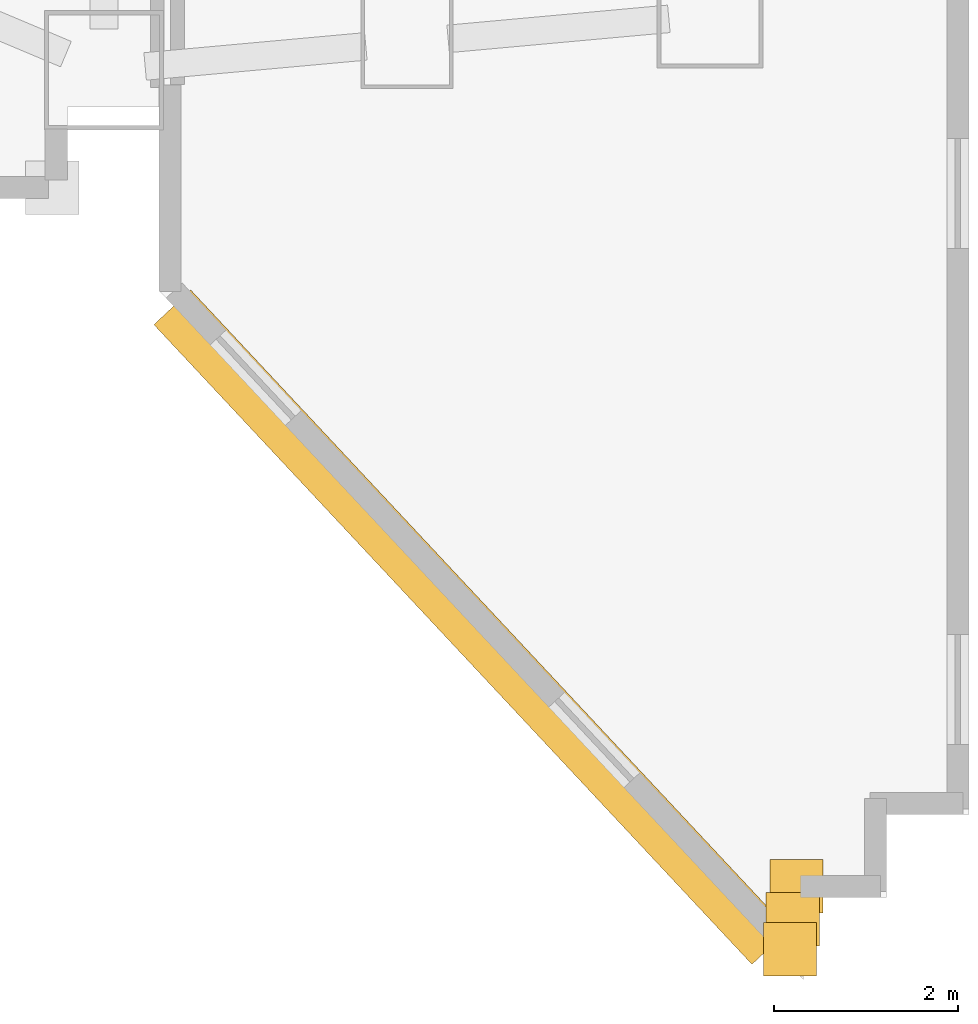
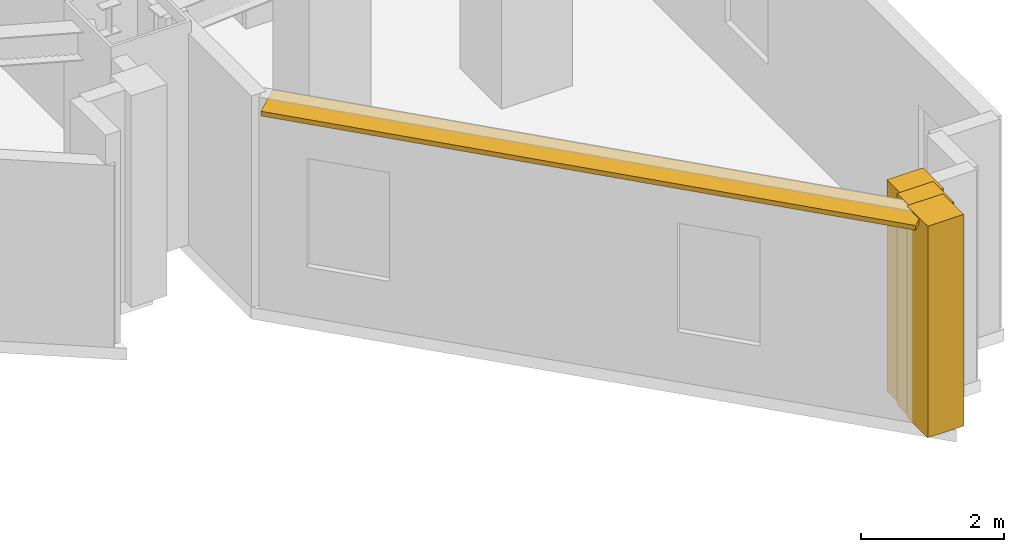
# One storey, part 17 of 17: 3 coverings, 1 shading device.
"""IFC4 building model written with IfcOpenShell, lengths in metres."""

import ifcopenshell
import ifcopenshell.guid

model = None  # the IFC model being written
_history = None  # IfcOwnerHistory: only IFC2X3 demands one
_inside = {}  # id of a spatial element -> (the spatial element, [elements in it])
_under = {}  # id of a project, library or spatial element -> (it, [spatial elements below it])
_declared = {}  # id of a project -> (the project, [libraries it declares])
_typed = {}  # id of a type object -> (the type object, [elements of that type])
_made_of = {}  # id of a material, layer set ... -> (it, [elements and type objects made of it])


def new_model(schema):
    """Start an empty IFC model of exactly this schema.

    Asked for "IFC4X3", IfcOpenShell would pick the latest addendum, in which some entities
    have other attributes; the version numbers below select the first issue.
    IFC2X3 requires an IfcOwnerHistory on every rooted entity: one is made here for all.
    """
    global model, _history
    if schema == "IFC4X3":
        model = ifcopenshell.file(schema_version=(4, 3, 0, 0))
    else:
        model = ifcopenshell.file(schema=schema)
    _inside.clear()
    _under.clear()
    _declared.clear()
    _typed.clear()
    _made_of.clear()
    _history = None
    if model.schema == "IFC2X3":
        org = make("IfcOrganization", Name="unknown")
        user = make(
            "IfcPersonAndOrganization",
            ThePerson=make("IfcPerson", FamilyName="unknown"),
            TheOrganization=org,
        )
        app = make(
            "IfcApplication",
            ApplicationDeveloper=org,
            Version="unknown",
            ApplicationFullName="unknown",
            ApplicationIdentifier="unknown",
        )
        _history = make(
            "IfcOwnerHistory",
            OwningUser=user,
            OwningApplication=app,
            ChangeAction="ADDED",
            CreationDate=0,
        )
    return model


def make(cls, **values):
    """One entity of the class cls with the attributes given. An attribute that is None is left unset."""
    return model.create_entity(
        cls, **{name: value for name, value in values.items() if value is not None}
    )


def rooted(cls, **values):
    """An entity with a GlobalId (a new one), such as an element, a storey or a relation."""
    return make(cls, GlobalId=ifcopenshell.guid.new(), OwnerHistory=_history, **values)


def si_unit(unit_type, name, prefix=None):
    """IfcSIUnit, for example si_unit("LENGTHUNIT", "METRE", prefix="MILLI")."""
    return make("IfcSIUnit", UnitType=unit_type, Prefix=prefix, Name=name)


def assignment(units):
    """IfcUnitAssignment: the units of a project."""
    return None if units is None else make("IfcUnitAssignment", Units=units)


def point(xyz):
    """IfcCartesianPoint."""
    return None if xyz is None else make("IfcCartesianPoint", Coordinates=xyz)


def direction(xyz):
    """IfcDirection."""
    return None if xyz is None else make("IfcDirection", DirectionRatios=xyz)


def frame(location, z_axis=None, x_axis=None):
    """IfcAxis2Placement3D, a coordinate frame: its origin and axes. An axis left out is left unset."""
    return make(
        "IfcAxis2Placement3D",
        Location=point(location),
        Axis=direction(z_axis),
        RefDirection=direction(x_axis),
    )


def frame_2d(location, x_axis=None):
    """IfcAxis2Placement2D, a coordinate frame in the plane: its origin and x axis."""
    return make(
        "IfcAxis2Placement2D", Location=point(location), RefDirection=direction(x_axis)
    )


def origin():
    """The frame at (0, 0, 0) with its axes left unset."""
    return frame((0.0, 0.0, 0.0))


def origin_2d():
    """The frame at (0, 0) in the plane with its x axis left unset."""
    return frame_2d((0.0, 0.0))


def place(relative_to, where):
    """IfcLocalPlacement: puts the frame where relative to a parent placement (None: the world)."""
    return make(
        "IfcLocalPlacement", PlacementRelTo=relative_to, RelativePlacement=where
    )


def context(
    kind, dimensions, precision=None, world=None, true_north=None, identifier=None
):
    """IfcGeometricRepresentationContext, for example the 3D "Model" context."""
    return make(
        "IfcGeometricRepresentationContext",
        ContextIdentifier=identifier,
        ContextType=kind,
        CoordinateSpaceDimension=dimensions,
        Precision=precision,
        WorldCoordinateSystem=world,
        TrueNorth=true_north,
    )


def subcontext(parent, identifier, kind, view, scale=None):
    """IfcGeometricRepresentationSubContext, for example "Body" below "Model"."""
    return make(
        "IfcGeometricRepresentationSubContext",
        ContextIdentifier=identifier,
        ContextType=kind,
        ParentContext=parent,
        TargetScale=scale,
        TargetView=view,
    )


def project(units=None, contexts=None):
    """IfcProject with its units and contexts."""
    return rooted(
        "IfcProject",
        Name="project",
        RepresentationContexts=contexts,
        UnitsInContext=assignment(units),
    )


def spatial(cls, under=None, at=None, **own):
    """A site, building, storey or space (cls), placed at a placement, below another one or the project."""
    s = rooted(cls, ObjectPlacement=at, **own)
    if under is not None:
        _under.setdefault(under.id(), (under, []))[1].append(s)
    return s


def profile(cls, at=None, kind="AREA", **sizes):
    """A parametric profile (cls). Its sizes go by their IFC names, for example OverallWidth=200.0."""
    return make(cls, ProfileType=kind, Position=at, **sizes)


def rectangle(**sizes):
    """IfcRectangleProfileDef."""
    return profile("IfcRectangleProfileDef", **sizes)


def extrude(swept, where, along, depth):
    """IfcExtrudedAreaSolid: the profile swept, set in the frame where, extruded along a direction by depth."""
    return make(
        "IfcExtrudedAreaSolid",
        SweptArea=swept,
        Position=where,
        ExtrudedDirection=direction(along),
        Depth=depth,
    )


def shape(context_of_items, identifier, shape_type, items):
    """IfcShapeRepresentation: the items that make up one representation, for example the "Body"."""
    return make(
        "IfcShapeRepresentation",
        ContextOfItems=context_of_items,
        RepresentationIdentifier=identifier,
        RepresentationType=shape_type,
        Items=items,
    )


def material(Name=None, Category=None):
    """IfcMaterial."""
    return make("IfcMaterial", Name=Name, Category=Category)


def layer(
    of_material, thickness, ventilated=None, Name=None, Category=None, Priority=None
):
    """IfcMaterialLayer: one layer of a wall or slab, of a material (None: an air gap)."""
    return make(
        "IfcMaterialLayer",
        Material=of_material,
        LayerThickness=thickness,
        IsVentilated=ventilated,
        Name=Name,
        Category=Category,
        Priority=Priority,
    )


def layer_set(layers, Name=None):
    """IfcMaterialLayerSet."""
    return make("IfcMaterialLayerSet", MaterialLayers=layers, LayerSetName=Name)


def made_of(thing, what):
    """Note that an element or type object is made of a material, layer set ...; save() writes the relation."""
    if what is not None:
        _made_of.setdefault(what.id(), (what, []))[1].append(thing)
    return thing


def type_object(cls, material=None, **own):
    """A type object (cls), such as IfcWallType, which elements share."""
    return made_of(rooted(cls, **own), material)


def element(
    cls,
    number,
    at=None,
    inside=None,
    cuts=None,
    type_object=None,
    material=None,
    context=None,
    identifier="Body",
    shape_type=None,
    held_by="IfcProductDefinitionShape",
    body=None,
    shapes=None,
    **own,
):
    """One element of the class cls, such as IfcWall. Its Tag is "e" and its number.

    at: its placement. inside: the storey or other place that contains it. cuts: it is an
    opening in that element (IfcRelVoidsElement). A single representation is given by context,
    identifier, shape_type and body (its items); several are given by shapes. held_by: the class
    of the entity that holds the representations. save() writes the other relations.
    """
    e = rooted(cls, Tag="e%d" % number, ObjectPlacement=at, **own)
    if body is not None:
        shapes = [shape(context, identifier, shape_type, body)]
    if shapes is not None:
        e.Representation = make(held_by, Representations=shapes)
    if inside is not None:
        _inside.setdefault(inside.id(), (inside, []))[1].append(e)
    if cuts is not None:
        rooted(
            "IfcRelVoidsElement", RelatingBuildingElement=cuts, RelatedOpeningElement=e
        )
    if type_object is not None:
        _typed.setdefault(type_object.id(), (type_object, []))[1].append(e)
    return made_of(e, material)


def aggregate(whole, parts):
    """IfcRelAggregates: a whole, such as a stair, and the parts it consists of."""
    return rooted("IfcRelAggregates", RelatingObject=whole, RelatedObjects=parts)


def save(model, path):
    """Write the relations noted so far, then the file.

    IfcRelAggregates (storeys below a building ...), IfcRelContainedInSpatialStructure (elements
    in a storey), IfcRelDefinesByType, IfcRelAssociatesMaterial and IfcRelDeclares: one each for
    every whole, place, type object, material and project.
    """
    for whole, parts in _under.values():
        aggregate(whole, parts)
    for where, things in _inside.values():
        rooted(
            "IfcRelContainedInSpatialStructure",
            RelatedElements=things,
            RelatingStructure=where,
        )
    for kind, things in _typed.values():
        rooted("IfcRelDefinesByType", RelatedObjects=things, RelatingType=kind)
    for what, things in _made_of.values():
        rooted("IfcRelAssociatesMaterial", RelatedObjects=things, RelatingMaterial=what)
    for by, libraries in _declared.values():
        rooted("IfcRelDeclares", RelatingContext=by, RelatedDefinitions=libraries)
    model.write(path)


model = new_model("IFC4")

# Units and contexts
model_context = context("Model", 3, precision=1e-05, world=origin(), true_north=direction((0.0, 1.0)))
body_context = subcontext(model_context, "Body", "Model", "MODEL_VIEW")
ifc_project = project(units=[si_unit("LENGTHUNIT", "METRE"), si_unit("AREAUNIT", "SQUARE_METRE"), si_unit("VOLUMEUNIT", "CUBIC_METRE"), si_unit("PLANEANGLEUNIT", "RADIAN"), si_unit("MASSUNIT", "GRAM", prefix="KILO")], contexts=[model_context])

# Site, building, storey
site_placement = place(None, origin())
site = spatial("IfcSite", under=ifc_project, at=site_placement, CompositionType="ELEMENT")
building_placement = place(site_placement, origin())
building = spatial("IfcBuilding", under=site, at=building_placement, Name="Haolan Belvedere Tower", CompositionType="ELEMENT")
storey_placement = place(building_placement, frame((0.0, 0.0, 27.800048828125)))
storey = spatial("IfcBuildingStorey", under=building, at=storey_placement, Name="L06", CompositionType="ELEMENT", Elevation=27.800048828125)

# Coverings
ifc_material_1 = material(Name="Pale champagne-silver anodised aluminium rainscreen cladding", Category="aluminium")
ifc_layer_1 = layer(ifc_material_1, 0.034912109375, Name="Pale champagne-silver anodised aluminium rainscreen cladding")
ifc_layer_set_1 = layer_set([ifc_layer_1], Name="Pale champagne-silver anodised aluminium rainscreen cladding")
covering_type = type_object("IfcCoveringType", Name="COV-CLAD-35", PredefinedType="CLADDING", material=ifc_layer_set_1)
for number, where, z_axis, x_axis, name in (
    (1, (71.6708984375, 7.226318359375, 0.0), (0.0, 0.0, 1.0), (1.0, 0.0, 0.0), "L06 pale-metal serrated corner cladding trim 6"),
    (2, (71.699951171875, 7.552978515625, 0.0), (0.0, 0.0, 1.0), (1.0, 0.0, 0.0), "L06 pale-metal serrated corner cladding trim 7"),
    (3, (71.742431640625, 7.910888671875, 0.0), (0.0, 0.0, 1.0), (1.0, 0.0, 0.0), "L06 pale-metal serrated corner cladding trim 8"),
):
    element("IfcCovering", number, at=place(storey_placement, frame(where, z_axis=z_axis, x_axis=x_axis)), inside=storey, type_object=covering_type, Name=name, PredefinedType="CLADDING", context=body_context, shape_type="SweptSolid", body=[
        extrude(rectangle(XDim=0.580078125, YDim=0.580078125, at=origin_2d()), origin(), (0.0, 0.0, 1.0), 3.60009765625),
    ])

# Shading device
ifc_material_2 = material(Name="Anodised champagne-silver aluminium 6063-T6", Category="aluminium")
ifc_layer_2 = layer(ifc_material_2, 0.080078125, Name="Anodised champagne-silver aluminium 6063-T6")
ifc_layer_set_2 = layer_set([ifc_layer_2], Name="Anodised champagne-silver aluminium 6063-T6")
shading_device_type = type_object("IfcShadingDeviceType", Name="SHD-SUN-550", PredefinedType="USERDEFINED", material=ifc_layer_set_2)
shading_device_placement = place(storey_placement, frame((68.200927734375, 10.73291015625, 3.5), z_axis=(0.0, 0.0, 1.0), x_axis=(0.682929616961, -0.730484180717, 0.0)))
element("IfcShadingDevice", 4, at=shading_device_placement, inside=storey, type_object=shading_device_type, Name="L06 pale-metal horizontal SUNSHADE band 21.1", ObjectType="SUNSHADE", PredefinedType="USERDEFINED", context=body_context, shape_type="SweptSolid", body=[
    extrude(rectangle(XDim=9.5380859375, YDim=0.550048828125, at=origin_2d()), origin(), (0.0, 0.0, 1.0), 0.080078125),
])

save(model, "model.ifc")
